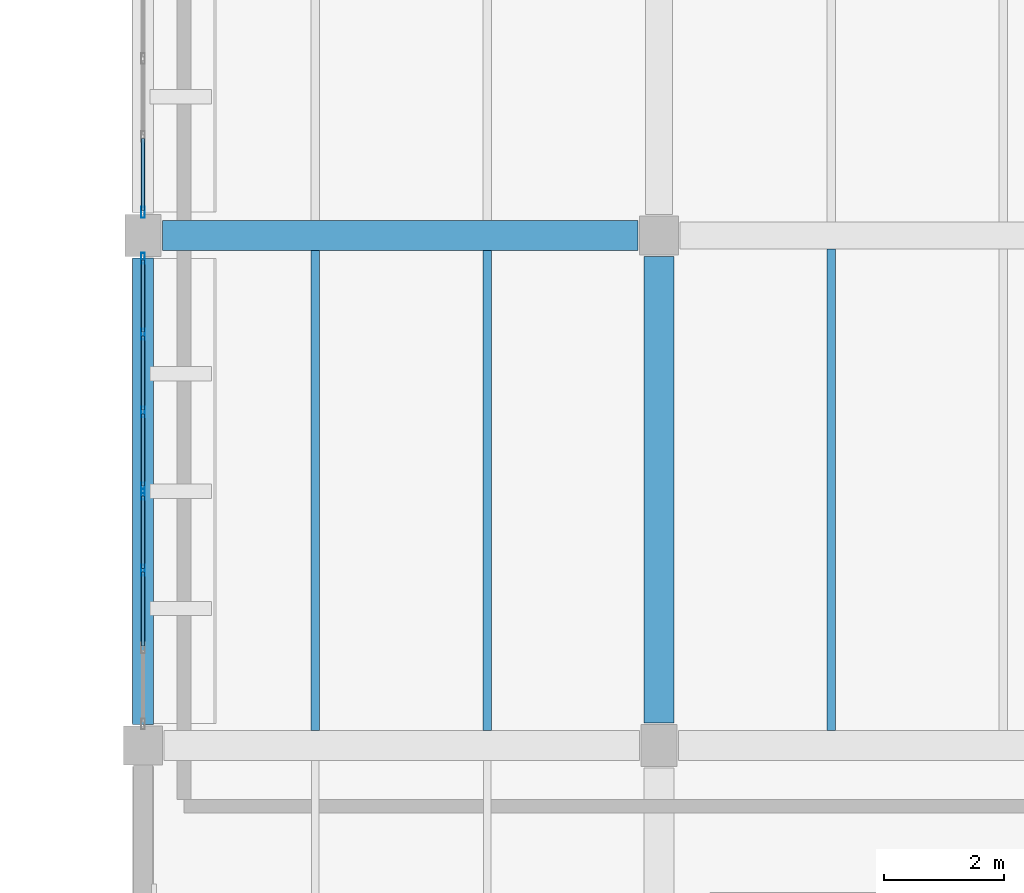
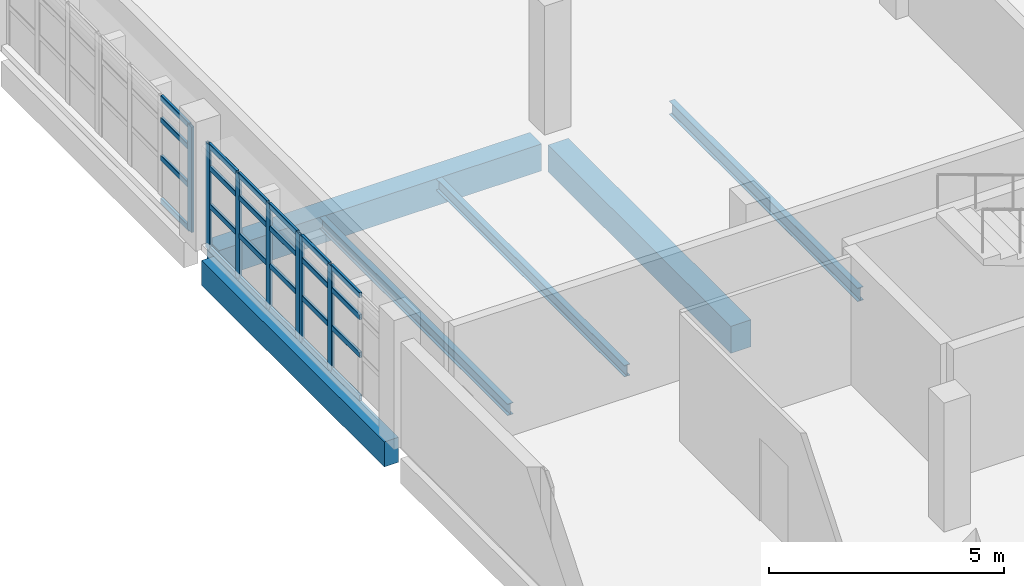
# One storey, part 16 of 93: 31 members, 6 beams, 3 elements without a shape of their own.
"""IFC4 building model written with IfcOpenShell, lengths in metres."""

from ifc_helpers import new_model, si_unit, direction, frame, origin, origin_2d, place, context, subcontext, project, spatial, rectangle, hollow_rectangle, i_section, extrude, material, material_profile, profile_set, type_object, element, aggregate, save


model = new_model("IFC4")

# Units and contexts
model_context = context("Model", 3, precision=1e-05, world=origin(), true_north=direction((0.0, 1.0)))
body_context = subcontext(model_context, "Body", "Model", "MODEL_VIEW")
ifc_project = project(units=[si_unit("LENGTHUNIT", "METRE"), si_unit("AREAUNIT", "SQUARE_METRE"), si_unit("VOLUMEUNIT", "CUBIC_METRE"), si_unit("PLANEANGLEUNIT", "RADIAN"), si_unit("MASSUNIT", "GRAM", prefix="KILO")], contexts=[model_context])

# Site, building, storey
site_placement = place(None, origin())
site = spatial("IfcSite", under=ifc_project, at=site_placement, CompositionType="ELEMENT")
building_placement = place(site_placement, origin())
building = spatial("IfcBuilding", under=site, at=building_placement, Name="Varnakota Cinema and Media Centre", CompositionType="ELEMENT")
storey_placement = place(building_placement, frame((0.0, 0.0, 12.0)))
storey = spatial("IfcBuildingStorey", under=building, at=storey_placement, Name="L03", CompositionType="ELEMENT", Elevation=12.0)

# Beams
ifc_material_1 = material(Name="Concrete M35", Category="concrete")
ifc_material_profile_1 = material_profile(ifc_material_1, rectangle(XDim=0.5, YDim=0.699951171875, at=origin_2d()), Name="RCB 500x700")
ifc_profile_set_1 = profile_set([ifc_material_profile_1], Name="Concrete M35")
beam_type_1 = type_object("IfcBeamType", Name="BM-RC-500x700", PredefinedType="BEAM", material=ifc_profile_set_1)
beam_1_placement = place(storey_placement, frame((0.324951171875, 61.0, -0.610107421875), z_axis=(1.0, 0.0, 0.0), x_axis=(0.0, 1.0, 0.0)))
element("IfcBeam", 1, at=beam_1_placement, inside=storey, type_object=beam_type_1, Name="L03 girder A-B/8", PredefinedType="BEAM", context=body_context, shape_type="SweptSolid", body=[
    extrude(rectangle(XDim=0.5, YDim=0.699951171875, at=origin_2d()), origin(), (0.0, 0.0, 1.0), 7.925048828125),
])
beam_2_placement = place(storey_placement, frame((8.60009765625, 52.875, -0.610107421875), z_axis=(0.0, 1.0, 0.0), x_axis=(-1.0, 0.0, 0.0)))
element("IfcBeam", 2, at=beam_2_placement, inside=storey, type_object=beam_type_1, Name="L03 girder B/7-8", PredefinedType="BEAM", context=body_context, shape_type="SweptSolid", body=[
    extrude(rectangle(XDim=0.5, YDim=0.699951171875, at=origin_2d()), origin(), (0.0, 0.0, 1.0), 7.77490234375),
])
ifc_material_2 = material(Name="Concrete M40", Category="concrete")
ifc_material_profile_2 = material_profile(ifc_material_2, rectangle(XDim=0.35009765625, YDim=0.64990234375, at=origin_2d()), Name="RCB 350x650")
ifc_profile_set_2 = profile_set([ifc_material_profile_2], Name="Concrete M40")
beam_type_2 = type_object("IfcBeamType", Name="BM-SP-350x650", PredefinedType="SPANDREL", material=ifc_profile_set_2)
beam_3_placement = place(storey_placement, frame((0.0, 52.85009765625, -0.5849609375), z_axis=(0.0, 1.0, 0.0), x_axis=(-1.0, 0.0, 0.0)))
element("IfcBeam", 3, at=beam_3_placement, inside=storey, type_object=beam_type_2, Name="L03 girder A/7-8", PredefinedType="SPANDREL", context=body_context, shape_type="SweptSolid", body=[
    extrude(rectangle(XDim=0.35009765625, YDim=0.64990234375, at=origin_2d()), origin(), (0.0, 0.0, 1.0), 7.77490234375),
])
ifc_material_3 = material(Name="Structural steel Grade 350 (E350)", Category="steel")
ifc_material_profile_3 = material_profile(ifc_material_3, i_section(OverallWidth=0.139892578125, OverallDepth=0.300048828125, WebThickness=0.0078125, FlangeThickness=0.01318359375, FilletRadius=0.013916015625, at=origin_2d()), Name="ISMB 300")
ifc_profile_set_3 = profile_set([ifc_material_profile_3], Name="Structural steel Grade 350 (E350)")
beam_type_3 = type_object("IfcBeamType", Name="BM-ST-ISMB300", PredefinedType="JOIST", material=ifc_profile_set_3)
for number, where, z_axis, x_axis, name in (
    (4, (2.86669921875, 52.75, -0.409912109375), (0.0, 1.0, 0.0), (-1.0, 0.0, 0.0), "L03 steel joist A-B/7-8 #1"),
    (5, (5.7333984375, 52.75, -0.409912109375), (0.0, 1.0, 0.0), (-1.0, 0.0, 0.0), "L03 steel joist A-B/7-8 #2"),
):
    element("IfcBeam", number, at=place(storey_placement, frame(where, z_axis=z_axis, x_axis=x_axis)), inside=storey, type_object=beam_type_3, Name=name, PredefinedType="JOIST", context=body_context, shape_type="SweptSolid", body=[
        extrude(i_section(OverallWidth=0.139892578125, OverallDepth=0.300048828125, WebThickness=0.0078125, FlangeThickness=0.01318359375, FilletRadius=0.013916015625, at=origin_2d()), origin(), (0.0, 0.0, 1.0), 8.0),
    ])
ifc_material_4 = material(Name="Structural steel Grade 350 (E350)", Category="steel")
ifc_material_profile_4 = material_profile(ifc_material_4, i_section(OverallWidth=0.139892578125, OverallDepth=0.35009765625, WebThickness=0.008056640625, FlangeThickness=0.01416015625, FilletRadius=0.013916015625, at=origin_2d()), Name="ISMB 350")
ifc_profile_set_4 = profile_set([ifc_material_profile_4], Name="Structural steel Grade 350 (E350)")
beam_type_4 = type_object("IfcBeamType", Name="BM-ST-ISMB350", PredefinedType="JOIST", material=ifc_profile_set_4)
beam_4_placement = place(storey_placement, frame((11.466796875, 52.75, -0.43505859375), z_axis=(0.0, 1.0, 0.0), x_axis=(-1.0, 0.0, 0.0)))
element("IfcBeam", 6, at=beam_4_placement, inside=storey, type_object=beam_type_4, Name="L03 steel joist B-C/7-8 #1", PredefinedType="JOIST", context=body_context, shape_type="SweptSolid", body=[
    extrude(i_section(OverallWidth=0.139892578125, OverallDepth=0.35009765625, WebThickness=0.008056640625, FlangeThickness=0.01416015625, FilletRadius=0.013916015625, at=origin_2d()), origin(), (0.0, 0.0, 1.0), 8.02490234375),
])

# Curtain wall, member
ifc_material_5 = material(Name="Thermally broken anodised aluminium AW-6063", Category="aluminium")
curtain_wall_type = type_object("IfcCurtainWallType", Name="CW-STD-389x274", PredefinedType="USERDEFINED", material=ifc_material_5)
curtain_wall_1_placement = place(storey_placement, origin())
curtain_wall_1 = element("IfcCurtainWall", 7, at=curtain_wall_1_placement, inside=storey, type_object=curtain_wall_type, Name="L03 curtain wall CW-L03-V5-W-02-2", ObjectType="UNITISED CURTAIN WALL", PredefinedType="USERDEFINED")
ifc_material_6 = material(Name="Thermally broken anodised aluminium AW-6063", Category="aluminium")
ifc_material_profile_5 = material_profile(ifc_material_6, hollow_rectangle(XDim=0.06494140625, YDim=0.179931640625, WallThickness=0.00390625, InnerFilletRadius=0.00390625, OuterFilletRadius=0.008056640625, at=origin_2d()), Name="AL-MULLION 180x65x4")
ifc_profile_set_5 = profile_set([ifc_material_profile_5], Name="Thermally broken anodised aluminium AW-6063")
member_type_1 = type_object("IfcMemberType", Name="CWM-AL-180", PredefinedType="MULLION", material=ifc_profile_set_5)
member_1_placement = place(storey_placement, frame((0.0, 61.382568359375, 0.0), z_axis=(0.0, 0.0, 1.0), x_axis=(1.0, 0.0, 0.0)))
member_1 = element("IfcMember", 8, at=member_1_placement, type_object=member_type_1, Name="CW46 mullion 4", PredefinedType="MULLION", context=body_context, shape_type="SweptSolid", body=[
    extrude(hollow_rectangle(XDim=0.06494140625, YDim=0.179931640625, WallThickness=0.00390625, InnerFilletRadius=0.00390625, OuterFilletRadius=0.008056640625, at=origin_2d()), origin(), (0.0, 0.0, 1.0), 2.735107421875),
])

# Curtain wall, members
curtain_wall_2_placement = place(storey_placement, origin())
curtain_wall_2 = element("IfcCurtainWall", 9, at=curtain_wall_2_placement, inside=storey, type_object=curtain_wall_type, Name="L03 curtain wall CW-L03-V5-W-03-1", ObjectType="UNITISED CURTAIN WALL", PredefinedType="USERDEFINED")
member_2_placement = place(storey_placement, frame((0.0, 60.617431640625, 0.0), z_axis=(0.0, 0.0, 1.0), x_axis=(1.0, 0.0, 0.0)))
member_2 = element("IfcMember", 10, at=member_2_placement, type_object=member_type_1, Name="CW46 mullion 1", PredefinedType="MULLION", context=body_context, shape_type="SweptSolid", body=[
    extrude(hollow_rectangle(XDim=0.06494140625, YDim=0.179931640625, WallThickness=0.00390625, InnerFilletRadius=0.00390625, OuterFilletRadius=0.008056640625, at=origin_2d()), origin(), (0.0, 0.0, 1.0), 2.735107421875),
])
member_3_placement = place(storey_placement, frame((0.0, 59.3525390625, 0.0), z_axis=(0.0, 0.0, 1.0), x_axis=(1.0, 0.0, 0.0)))
member_3 = element("IfcMember", 11, at=member_3_placement, type_object=member_type_1, Name="CW46 mullion 2", PredefinedType="MULLION", context=body_context, shape_type="SweptSolid", body=[
    extrude(hollow_rectangle(XDim=0.06494140625, YDim=0.179931640625, WallThickness=0.00390625, InnerFilletRadius=0.00390625, OuterFilletRadius=0.008056640625, at=origin_2d()), origin(), (0.0, 0.0, 1.0), 2.735107421875),
])
member_4_placement = place(storey_placement, frame((0.0, 58.054931640625, 0.0), z_axis=(0.0, 0.0, 1.0), x_axis=(1.0, 0.0, 0.0)))
member_4 = element("IfcMember", 12, at=member_4_placement, type_object=member_type_1, Name="CW46 mullion 3", PredefinedType="MULLION", context=body_context, shape_type="SweptSolid", body=[
    extrude(hollow_rectangle(XDim=0.06494140625, YDim=0.179931640625, WallThickness=0.00390625, InnerFilletRadius=0.00390625, OuterFilletRadius=0.008056640625, at=origin_2d()), origin(), (0.0, 0.0, 1.0), 2.735107421875),
])
member_5_placement = place(storey_placement, frame((0.0, 56.7900390625, 0.0), z_axis=(0.0, 0.0, 1.0), x_axis=(1.0, 0.0, 0.0)))
member_5 = element("IfcMember", 13, at=member_5_placement, type_object=member_type_1, Name="CW46 mullion 4", PredefinedType="MULLION", context=body_context, shape_type="SweptSolid", body=[
    extrude(hollow_rectangle(XDim=0.06494140625, YDim=0.179931640625, WallThickness=0.00390625, InnerFilletRadius=0.00390625, OuterFilletRadius=0.008056640625, at=origin_2d()), origin(), (0.0, 0.0, 1.0), 2.735107421875),
])

curtain_wall_3_placement = place(storey_placement, origin())
curtain_wall_3 = element("IfcCurtainWall", 14, at=curtain_wall_3_placement, inside=storey, type_object=curtain_wall_type, Name="L03 curtain wall CW-L03-V5-W-03-2", ObjectType="UNITISED CURTAIN WALL", PredefinedType="USERDEFINED")
member_6_placement = place(storey_placement, frame((0.0, 56.68505859375, 0.0), z_axis=(0.0, 0.0, 1.0), x_axis=(1.0, 0.0, 0.0)))
member_6 = element("IfcMember", 15, at=member_6_placement, type_object=member_type_1, Name="CW46 mullion 1", PredefinedType="MULLION", context=body_context, shape_type="SweptSolid", body=[
    extrude(hollow_rectangle(XDim=0.06494140625, YDim=0.179931640625, WallThickness=0.00390625, InnerFilletRadius=0.00390625, OuterFilletRadius=0.008056640625, at=origin_2d()), origin(), (0.0, 0.0, 1.0), 2.735107421875),
])
member_7_placement = place(storey_placement, frame((0.0, 55.419921875, 0.0), z_axis=(0.0, 0.0, 1.0), x_axis=(1.0, 0.0, 0.0)))
member_7 = element("IfcMember", 16, at=member_7_placement, type_object=member_type_1, Name="CW46 mullion 2", PredefinedType="MULLION", context=body_context, shape_type="SweptSolid", body=[
    extrude(hollow_rectangle(XDim=0.06494140625, YDim=0.179931640625, WallThickness=0.00390625, InnerFilletRadius=0.00390625, OuterFilletRadius=0.008056640625, at=origin_2d()), origin(), (0.0, 0.0, 1.0), 2.735107421875),
])

# Member
ifc_material_7 = material(Name="Thermally broken anodised aluminium AW-6063", Category="aluminium")
ifc_material_profile_6 = material_profile(ifc_material_7, hollow_rectangle(XDim=0.06494140625, YDim=0.139892578125, WallThickness=0.00390625, InnerFilletRadius=0.00390625, OuterFilletRadius=0.008056640625, at=origin_2d()), Name="AL-TRANSOM 140x65x4")
ifc_profile_set_6 = profile_set([ifc_material_profile_6], Name="Thermally broken anodised aluminium AW-6063")
member_type_2 = type_object("IfcMemberType", Name="CWT-AL-140", PredefinedType="USERDEFINED", material=ifc_profile_set_6)
member_8_placement = place(storey_placement, frame((0.0, 62.614990234375, 0.032470703125), z_axis=(0.0, -1.0, 0.0), x_axis=(1.0, 0.0, 0.0)))
member_8 = element("IfcMember", 17, at=member_8_placement, type_object=member_type_2, Name="CW46 transom 3.1", ObjectType="TRANSOM", PredefinedType="USERDEFINED", context=body_context, shape_type="SweptSolid", body=[
    extrude(hollow_rectangle(XDim=0.06494140625, YDim=0.139892578125, WallThickness=0.00390625, InnerFilletRadius=0.00390625, OuterFilletRadius=0.008056640625, at=origin_2d()), origin(), (0.0, 0.0, 1.0), 1.199951171875),
])

member_9_placement = place(storey_placement, frame((0.0, 62.614990234375, 1.148681640625), z_axis=(0.0, -1.0, 0.0), x_axis=(1.0, 0.0, 0.0)))
member_9 = element("IfcMember", 18, at=member_9_placement, type_object=member_type_2, Name="CW46 transom 3.2", ObjectType="TRANSOM", PredefinedType="USERDEFINED", context=body_context, shape_type="SweptSolid", body=[
    extrude(hollow_rectangle(XDim=0.06494140625, YDim=0.139892578125, WallThickness=0.00390625, InnerFilletRadius=0.00390625, OuterFilletRadius=0.008056640625, at=origin_2d()), origin(), (0.0, 0.0, 1.0), 1.199951171875),
])

member_10_placement = place(storey_placement, frame((0.0, 62.614990234375, 2.13330078125), z_axis=(0.0, -1.0, 0.0), x_axis=(1.0, 0.0, 0.0)))
member_10 = element("IfcMember", 19, at=member_10_placement, type_object=member_type_2, Name="CW46 transom 3.3", ObjectType="TRANSOM", PredefinedType="USERDEFINED", context=body_context, shape_type="SweptSolid", body=[
    extrude(hollow_rectangle(XDim=0.06494140625, YDim=0.139892578125, WallThickness=0.00390625, InnerFilletRadius=0.00390625, OuterFilletRadius=0.008056640625, at=origin_2d()), origin(), (0.0, 0.0, 1.0), 1.199951171875),
])

member_11_placement = place(storey_placement, frame((0.0, 62.614990234375, 2.702392578125), z_axis=(0.0, -1.0, 0.0), x_axis=(1.0, 0.0, 0.0)))
member_11 = element("IfcMember", 20, at=member_11_placement, type_object=member_type_2, Name="CW46 transom 3.4", ObjectType="TRANSOM", PredefinedType="USERDEFINED", context=body_context, shape_type="SweptSolid", body=[
    extrude(hollow_rectangle(XDim=0.06494140625, YDim=0.139892578125, WallThickness=0.00390625, InnerFilletRadius=0.00390625, OuterFilletRadius=0.008056640625, at=origin_2d()), origin(), (0.0, 0.0, 1.0), 1.199951171875),
])

aggregate(curtain_wall_1, [member_1, member_8, member_9, member_10, member_11])

member_12_placement = place(storey_placement, frame((0.0, 60.5849609375, 0.032470703125), z_axis=(0.0, -1.0, 0.0), x_axis=(1.0, 0.0, 0.0)))
member_12 = element("IfcMember", 21, at=member_12_placement, type_object=member_type_2, Name="CW46 transom 1.1", ObjectType="TRANSOM", PredefinedType="USERDEFINED", context=body_context, shape_type="SweptSolid", body=[
    extrude(hollow_rectangle(XDim=0.06494140625, YDim=0.139892578125, WallThickness=0.00390625, InnerFilletRadius=0.00390625, OuterFilletRadius=0.008056640625, at=origin_2d()), origin(), (0.0, 0.0, 1.0), 1.199951171875),
])

member_13_placement = place(storey_placement, frame((0.0, 60.5849609375, 1.148681640625), z_axis=(0.0, -1.0, 0.0), x_axis=(1.0, 0.0, 0.0)))
member_13 = element("IfcMember", 22, at=member_13_placement, type_object=member_type_2, Name="CW46 transom 1.2", ObjectType="TRANSOM", PredefinedType="USERDEFINED", context=body_context, shape_type="SweptSolid", body=[
    extrude(hollow_rectangle(XDim=0.06494140625, YDim=0.139892578125, WallThickness=0.00390625, InnerFilletRadius=0.00390625, OuterFilletRadius=0.008056640625, at=origin_2d()), origin(), (0.0, 0.0, 1.0), 1.199951171875),
])

member_14_placement = place(storey_placement, frame((0.0, 60.5849609375, 2.13330078125), z_axis=(0.0, -1.0, 0.0), x_axis=(1.0, 0.0, 0.0)))
member_14 = element("IfcMember", 23, at=member_14_placement, type_object=member_type_2, Name="CW46 transom 1.3", ObjectType="TRANSOM", PredefinedType="USERDEFINED", context=body_context, shape_type="SweptSolid", body=[
    extrude(hollow_rectangle(XDim=0.06494140625, YDim=0.139892578125, WallThickness=0.00390625, InnerFilletRadius=0.00390625, OuterFilletRadius=0.008056640625, at=origin_2d()), origin(), (0.0, 0.0, 1.0), 1.199951171875),
])

member_15_placement = place(storey_placement, frame((0.0, 60.5849609375, 2.702392578125), z_axis=(0.0, -1.0, 0.0), x_axis=(1.0, 0.0, 0.0)))
member_15 = element("IfcMember", 24, at=member_15_placement, type_object=member_type_2, Name="CW46 transom 1.4", ObjectType="TRANSOM", PredefinedType="USERDEFINED", context=body_context, shape_type="SweptSolid", body=[
    extrude(hollow_rectangle(XDim=0.06494140625, YDim=0.139892578125, WallThickness=0.00390625, InnerFilletRadius=0.00390625, OuterFilletRadius=0.008056640625, at=origin_2d()), origin(), (0.0, 0.0, 1.0), 1.199951171875),
])

member_16_placement = place(storey_placement, frame((0.0, 59.320068359375, 0.032470703125), z_axis=(0.0, -1.0, 0.0), x_axis=(1.0, 0.0, 0.0)))
member_16 = element("IfcMember", 25, at=member_16_placement, type_object=member_type_2, Name="CW46 transom 2.1", ObjectType="TRANSOM", PredefinedType="USERDEFINED", context=body_context, shape_type="SweptSolid", body=[
    extrude(hollow_rectangle(XDim=0.06494140625, YDim=0.139892578125, WallThickness=0.00390625, InnerFilletRadius=0.00390625, OuterFilletRadius=0.008056640625, at=origin_2d()), origin(), (0.0, 0.0, 1.0), 1.232666015625),
])

member_17_placement = place(storey_placement, frame((0.0, 59.320068359375, 1.148681640625), z_axis=(0.0, -1.0, 0.0), x_axis=(1.0, 0.0, 0.0)))
member_17 = element("IfcMember", 26, at=member_17_placement, type_object=member_type_2, Name="CW46 transom 2.2", ObjectType="TRANSOM", PredefinedType="USERDEFINED", context=body_context, shape_type="SweptSolid", body=[
    extrude(hollow_rectangle(XDim=0.06494140625, YDim=0.139892578125, WallThickness=0.00390625, InnerFilletRadius=0.00390625, OuterFilletRadius=0.008056640625, at=origin_2d()), origin(), (0.0, 0.0, 1.0), 1.232666015625),
])

member_18_placement = place(storey_placement, frame((0.0, 59.320068359375, 2.13330078125), z_axis=(0.0, -1.0, 0.0), x_axis=(1.0, 0.0, 0.0)))
member_18 = element("IfcMember", 27, at=member_18_placement, type_object=member_type_2, Name="CW46 transom 2.3", ObjectType="TRANSOM", PredefinedType="USERDEFINED", context=body_context, shape_type="SweptSolid", body=[
    extrude(hollow_rectangle(XDim=0.06494140625, YDim=0.139892578125, WallThickness=0.00390625, InnerFilletRadius=0.00390625, OuterFilletRadius=0.008056640625, at=origin_2d()), origin(), (0.0, 0.0, 1.0), 1.232666015625),
])

member_19_placement = place(storey_placement, frame((0.0, 59.320068359375, 2.702392578125), z_axis=(0.0, -1.0, 0.0), x_axis=(1.0, 0.0, 0.0)))
member_19 = element("IfcMember", 28, at=member_19_placement, type_object=member_type_2, Name="CW46 transom 2.4", ObjectType="TRANSOM", PredefinedType="USERDEFINED", context=body_context, shape_type="SweptSolid", body=[
    extrude(hollow_rectangle(XDim=0.06494140625, YDim=0.139892578125, WallThickness=0.00390625, InnerFilletRadius=0.00390625, OuterFilletRadius=0.008056640625, at=origin_2d()), origin(), (0.0, 0.0, 1.0), 1.232666015625),
])

member_20_placement = place(storey_placement, frame((0.0, 58.0224609375, 0.032470703125), z_axis=(0.0, -1.0, 0.0), x_axis=(1.0, 0.0, 0.0)))
member_20 = element("IfcMember", 29, at=member_20_placement, type_object=member_type_2, Name="CW46 transom 3.1", ObjectType="TRANSOM", PredefinedType="USERDEFINED", context=body_context, shape_type="SweptSolid", body=[
    extrude(hollow_rectangle(XDim=0.06494140625, YDim=0.139892578125, WallThickness=0.00390625, InnerFilletRadius=0.00390625, OuterFilletRadius=0.008056640625, at=origin_2d()), origin(), (0.0, 0.0, 1.0), 1.199951171875),
])

member_21_placement = place(storey_placement, frame((0.0, 58.0224609375, 1.148681640625), z_axis=(0.0, -1.0, 0.0), x_axis=(1.0, 0.0, 0.0)))
member_21 = element("IfcMember", 30, at=member_21_placement, type_object=member_type_2, Name="CW46 transom 3.2", ObjectType="TRANSOM", PredefinedType="USERDEFINED", context=body_context, shape_type="SweptSolid", body=[
    extrude(hollow_rectangle(XDim=0.06494140625, YDim=0.139892578125, WallThickness=0.00390625, InnerFilletRadius=0.00390625, OuterFilletRadius=0.008056640625, at=origin_2d()), origin(), (0.0, 0.0, 1.0), 1.199951171875),
])

member_22_placement = place(storey_placement, frame((0.0, 58.0224609375, 2.13330078125), z_axis=(0.0, -1.0, 0.0), x_axis=(1.0, 0.0, 0.0)))
member_22 = element("IfcMember", 31, at=member_22_placement, type_object=member_type_2, Name="CW46 transom 3.3", ObjectType="TRANSOM", PredefinedType="USERDEFINED", context=body_context, shape_type="SweptSolid", body=[
    extrude(hollow_rectangle(XDim=0.06494140625, YDim=0.139892578125, WallThickness=0.00390625, InnerFilletRadius=0.00390625, OuterFilletRadius=0.008056640625, at=origin_2d()), origin(), (0.0, 0.0, 1.0), 1.199951171875),
])

member_23_placement = place(storey_placement, frame((0.0, 58.0224609375, 2.702392578125), z_axis=(0.0, -1.0, 0.0), x_axis=(1.0, 0.0, 0.0)))
member_23 = element("IfcMember", 32, at=member_23_placement, type_object=member_type_2, Name="CW46 transom 3.4", ObjectType="TRANSOM", PredefinedType="USERDEFINED", context=body_context, shape_type="SweptSolid", body=[
    extrude(hollow_rectangle(XDim=0.06494140625, YDim=0.139892578125, WallThickness=0.00390625, InnerFilletRadius=0.00390625, OuterFilletRadius=0.008056640625, at=origin_2d()), origin(), (0.0, 0.0, 1.0), 1.199951171875),
])

aggregate(curtain_wall_2, [member_2, member_3, member_4, member_5, member_12, member_13, member_14, member_15, member_16, member_17, member_18, member_19, member_20, member_21, member_22, member_23])

member_24_placement = place(storey_placement, frame((0.0, 56.652587890625, 0.032470703125), z_axis=(0.0, -1.0, 0.0), x_axis=(1.0, 0.0, 0.0)))
member_24 = element("IfcMember", 33, at=member_24_placement, type_object=member_type_2, Name="CW46 transom 1.1", ObjectType="TRANSOM", PredefinedType="USERDEFINED", context=body_context, shape_type="SweptSolid", body=[
    extrude(hollow_rectangle(XDim=0.06494140625, YDim=0.139892578125, WallThickness=0.00390625, InnerFilletRadius=0.00390625, OuterFilletRadius=0.008056640625, at=origin_2d()), origin(), (0.0, 0.0, 1.0), 1.2001953125),
])

member_25_placement = place(storey_placement, frame((0.0, 56.652587890625, 1.148681640625), z_axis=(0.0, -1.0, 0.0), x_axis=(1.0, 0.0, 0.0)))
member_25 = element("IfcMember", 34, at=member_25_placement, type_object=member_type_2, Name="CW46 transom 1.2", ObjectType="TRANSOM", PredefinedType="USERDEFINED", context=body_context, shape_type="SweptSolid", body=[
    extrude(hollow_rectangle(XDim=0.06494140625, YDim=0.139892578125, WallThickness=0.00390625, InnerFilletRadius=0.00390625, OuterFilletRadius=0.008056640625, at=origin_2d()), origin(), (0.0, 0.0, 1.0), 1.2001953125),
])

member_26_placement = place(storey_placement, frame((0.0, 56.652587890625, 2.13330078125), z_axis=(0.0, -1.0, 0.0), x_axis=(1.0, 0.0, 0.0)))
member_26 = element("IfcMember", 35, at=member_26_placement, type_object=member_type_2, Name="CW46 transom 1.3", ObjectType="TRANSOM", PredefinedType="USERDEFINED", context=body_context, shape_type="SweptSolid", body=[
    extrude(hollow_rectangle(XDim=0.06494140625, YDim=0.139892578125, WallThickness=0.00390625, InnerFilletRadius=0.00390625, OuterFilletRadius=0.008056640625, at=origin_2d()), origin(), (0.0, 0.0, 1.0), 1.2001953125),
])

member_27_placement = place(storey_placement, frame((0.0, 56.652587890625, 2.702392578125), z_axis=(0.0, -1.0, 0.0), x_axis=(1.0, 0.0, 0.0)))
member_27 = element("IfcMember", 36, at=member_27_placement, type_object=member_type_2, Name="CW46 transom 1.4", ObjectType="TRANSOM", PredefinedType="USERDEFINED", context=body_context, shape_type="SweptSolid", body=[
    extrude(hollow_rectangle(XDim=0.06494140625, YDim=0.139892578125, WallThickness=0.00390625, InnerFilletRadius=0.00390625, OuterFilletRadius=0.008056640625, at=origin_2d()), origin(), (0.0, 0.0, 1.0), 1.2001953125),
])

member_28_placement = place(storey_placement, frame((0.0, 55.387451171875, 0.032470703125), z_axis=(0.0, -1.0, 0.0), x_axis=(1.0, 0.0, 0.0)))
member_28 = element("IfcMember", 37, at=member_28_placement, type_object=member_type_2, Name="CW46 transom 2.1", ObjectType="TRANSOM", PredefinedType="USERDEFINED", context=body_context, shape_type="SweptSolid", body=[
    extrude(hollow_rectangle(XDim=0.06494140625, YDim=0.139892578125, WallThickness=0.00390625, InnerFilletRadius=0.00390625, OuterFilletRadius=0.008056640625, at=origin_2d()), origin(), (0.0, 0.0, 1.0), 1.232421875),
])

member_29_placement = place(storey_placement, frame((0.0, 55.387451171875, 1.148681640625), z_axis=(0.0, -1.0, 0.0), x_axis=(1.0, 0.0, 0.0)))
member_29 = element("IfcMember", 38, at=member_29_placement, type_object=member_type_2, Name="CW46 transom 2.2", ObjectType="TRANSOM", PredefinedType="USERDEFINED", context=body_context, shape_type="SweptSolid", body=[
    extrude(hollow_rectangle(XDim=0.06494140625, YDim=0.139892578125, WallThickness=0.00390625, InnerFilletRadius=0.00390625, OuterFilletRadius=0.008056640625, at=origin_2d()), origin(), (0.0, 0.0, 1.0), 1.232421875),
])

member_30_placement = place(storey_placement, frame((0.0, 55.387451171875, 2.13330078125), z_axis=(0.0, -1.0, 0.0), x_axis=(1.0, 0.0, 0.0)))
member_30 = element("IfcMember", 39, at=member_30_placement, type_object=member_type_2, Name="CW46 transom 2.3", ObjectType="TRANSOM", PredefinedType="USERDEFINED", context=body_context, shape_type="SweptSolid", body=[
    extrude(hollow_rectangle(XDim=0.06494140625, YDim=0.139892578125, WallThickness=0.00390625, InnerFilletRadius=0.00390625, OuterFilletRadius=0.008056640625, at=origin_2d()), origin(), (0.0, 0.0, 1.0), 1.232421875),
])

member_31_placement = place(storey_placement, frame((0.0, 55.387451171875, 2.702392578125), z_axis=(0.0, -1.0, 0.0), x_axis=(1.0, 0.0, 0.0)))
member_31 = element("IfcMember", 40, at=member_31_placement, type_object=member_type_2, Name="CW46 transom 2.4", ObjectType="TRANSOM", PredefinedType="USERDEFINED", context=body_context, shape_type="SweptSolid", body=[
    extrude(hollow_rectangle(XDim=0.06494140625, YDim=0.139892578125, WallThickness=0.00390625, InnerFilletRadius=0.00390625, OuterFilletRadius=0.008056640625, at=origin_2d()), origin(), (0.0, 0.0, 1.0), 1.232421875),
])

aggregate(curtain_wall_3, [member_6, member_7, member_24, member_25, member_26, member_27, member_28, member_29, member_30, member_31])

save(model, "model.ifc")
